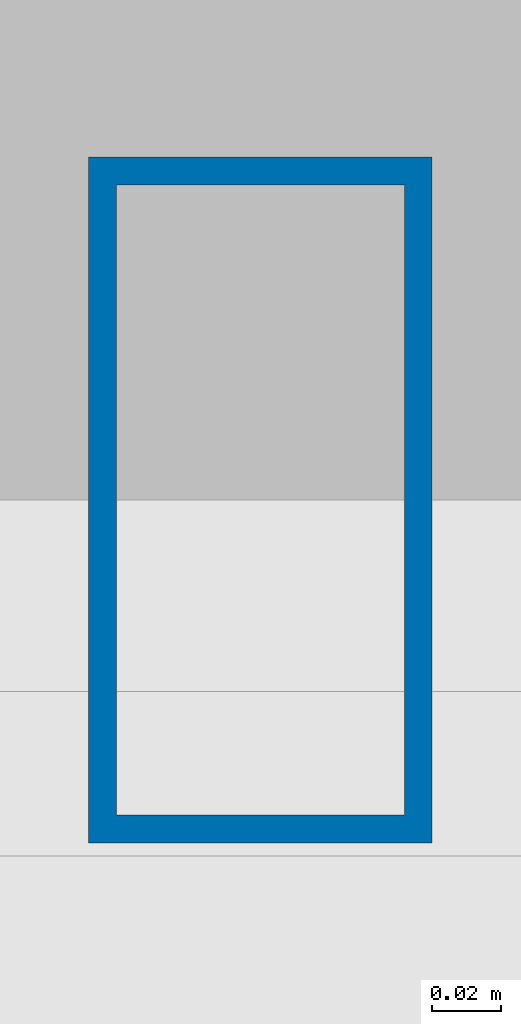
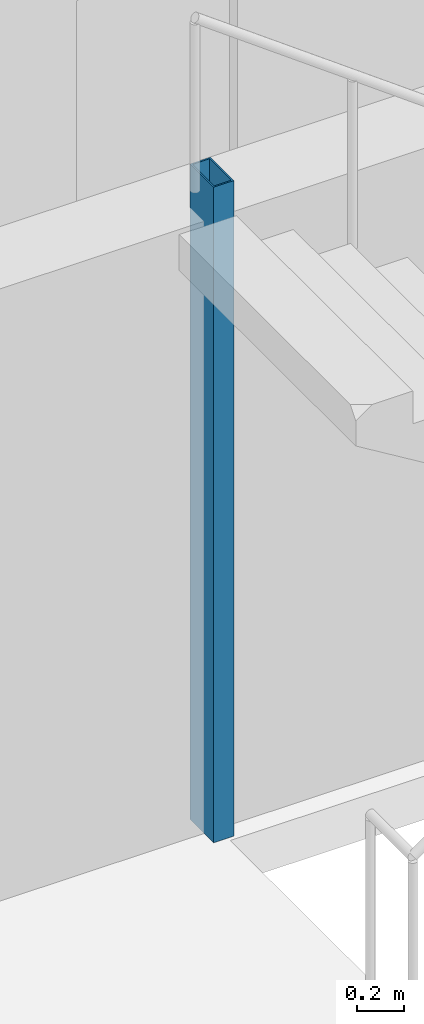
# One storey, part 2 of 19: 1 column.
"""IFC4 building model written with IfcOpenShell, lengths in metres."""

from ifc_helpers import new_model, si_unit, direction, frame, origin, origin_2d, place, context, subcontext, project, spatial, hollow_rectangle, extrude, material, material_profile, profile_set, type_object, element, save


model = new_model("IFC4")

# Units and contexts
model_context = context("Model", 3, precision=1e-05, world=origin(), true_north=direction((0.0, 1.0)))
body_context = subcontext(model_context, "Body", "Model", "MODEL_VIEW")
ifc_project = project(units=[si_unit("LENGTHUNIT", "METRE"), si_unit("AREAUNIT", "SQUARE_METRE"), si_unit("VOLUMEUNIT", "CUBIC_METRE"), si_unit("PLANEANGLEUNIT", "RADIAN"), si_unit("MASSUNIT", "GRAM", prefix="KILO")], contexts=[model_context])

# Site, building, storey
site_placement = place(None, origin())
site = spatial("IfcSite", under=ifc_project, at=site_placement, CompositionType="ELEMENT")
building_placement = place(site_placement, origin())
building = spatial("IfcBuilding", under=site, at=building_placement, Name="Menara Jurai Vektor", CompositionType="ELEMENT")
storey_placement = place(building_placement, frame((0.0, 0.0, 192.199951171875)))
storey = spatial("IfcBuildingStorey", under=building, at=storey_placement, Name="L50", CompositionType="ELEMENT", Elevation=192.199951171875)

# Column
ifc_material = material(Name="Steel S355", Category="steel")
ifc_material_profile = material_profile(ifc_material, hollow_rectangle(XDim=0.10009765625, YDim=0.199951171875, WallThickness=0.008056640625, at=origin_2d()), Name="RHS 200x100x8")
ifc_profile_set = profile_set([ifc_material_profile], Name="Steel S355")
column_type = type_object("IfcColumnType", Name="STR-COL-STAIR", PredefinedType="COLUMN", material=ifc_profile_set)
column_placement = place(storey_placement, frame((-11.1201171875, 5.419921875, 0.0), z_axis=(0.0, 0.0, 1.0), x_axis=(1.0, 0.0, 0.0)))
element("IfcColumn", 1, at=column_placement, inside=storey, type_object=column_type, Name="Stair Well Header Column ST1-P2 L50", PredefinedType="COLUMN", context=body_context, shape_type="SweptSolid", body=[
    extrude(hollow_rectangle(XDim=0.10009765625, YDim=0.199951171875, WallThickness=0.008056640625, at=origin_2d()), origin(), (0.0, 0.0, 1.0), 3.400146484375),
])

save(model, "model.ifc")
